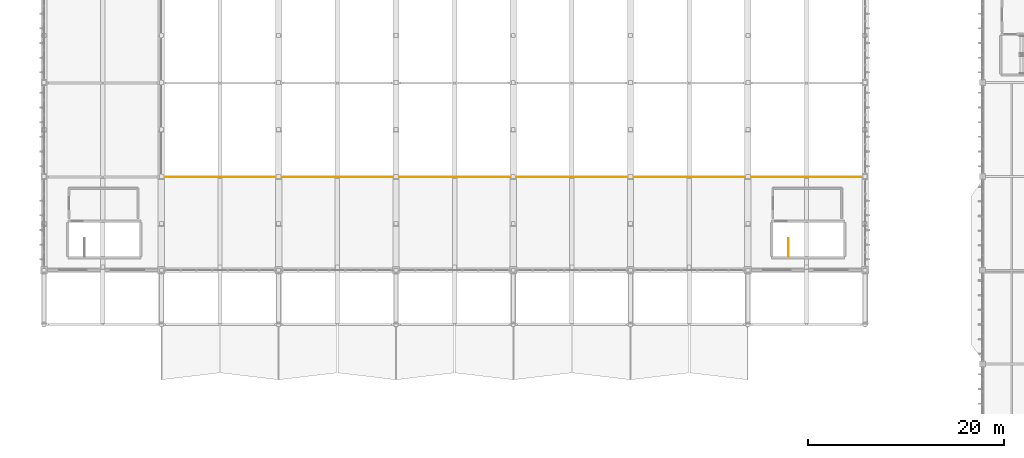
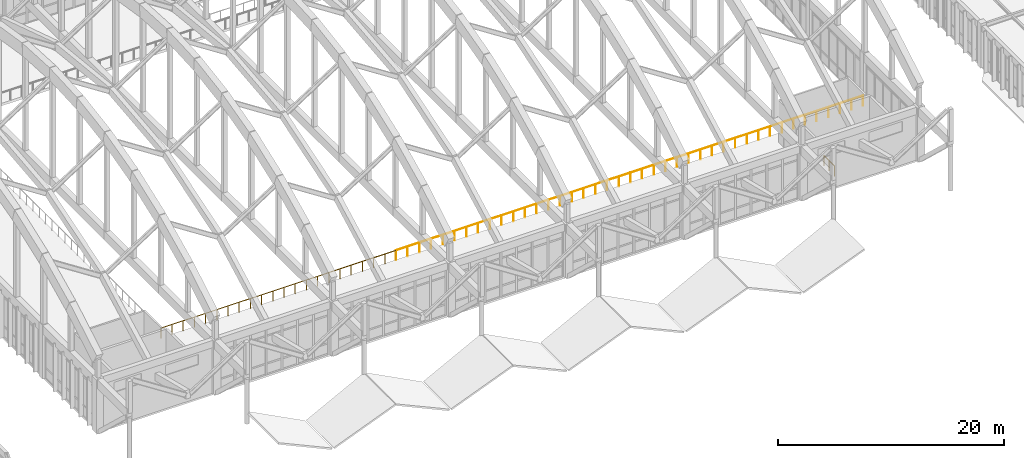
# One storey, part 227 of 236: 4 railings.
"""IFC4 building model written with IfcOpenShell, lengths in metres."""

import ifcopenshell
import ifcopenshell.guid

model = None  # the IFC model being written
_history = None  # IfcOwnerHistory: only IFC2X3 demands one
_inside = {}  # id of a spatial element -> (the spatial element, [elements in it])
_under = {}  # id of a project, library or spatial element -> (it, [spatial elements below it])
_declared = {}  # id of a project -> (the project, [libraries it declares])
_typed = {}  # id of a type object -> (the type object, [elements of that type])
_made_of = {}  # id of a material, layer set ... -> (it, [elements and type objects made of it])


def new_model(schema):
    """Start an empty IFC model of exactly this schema.

    Asked for "IFC4X3", IfcOpenShell would pick the latest addendum, in which some entities
    have other attributes; the version numbers below select the first issue.
    IFC2X3 requires an IfcOwnerHistory on every rooted entity: one is made here for all.
    """
    global model, _history
    if schema == "IFC4X3":
        model = ifcopenshell.file(schema_version=(4, 3, 0, 0))
    else:
        model = ifcopenshell.file(schema=schema)
    _inside.clear()
    _under.clear()
    _declared.clear()
    _typed.clear()
    _made_of.clear()
    _history = None
    if model.schema == "IFC2X3":
        org = make("IfcOrganization", Name="unknown")
        user = make(
            "IfcPersonAndOrganization",
            ThePerson=make("IfcPerson", FamilyName="unknown"),
            TheOrganization=org,
        )
        app = make(
            "IfcApplication",
            ApplicationDeveloper=org,
            Version="unknown",
            ApplicationFullName="unknown",
            ApplicationIdentifier="unknown",
        )
        _history = make(
            "IfcOwnerHistory",
            OwningUser=user,
            OwningApplication=app,
            ChangeAction="ADDED",
            CreationDate=0,
        )
    return model


def make(cls, **values):
    """One entity of the class cls with the attributes given. An attribute that is None is left unset."""
    return model.create_entity(
        cls, **{name: value for name, value in values.items() if value is not None}
    )


def rooted(cls, **values):
    """An entity with a GlobalId (a new one), such as an element, a storey or a relation."""
    return make(cls, GlobalId=ifcopenshell.guid.new(), OwnerHistory=_history, **values)


def si_unit(unit_type, name, prefix=None):
    """IfcSIUnit, for example si_unit("LENGTHUNIT", "METRE", prefix="MILLI")."""
    return make("IfcSIUnit", UnitType=unit_type, Prefix=prefix, Name=name)


def assignment(units):
    """IfcUnitAssignment: the units of a project."""
    return None if units is None else make("IfcUnitAssignment", Units=units)


def point(xyz):
    """IfcCartesianPoint."""
    return None if xyz is None else make("IfcCartesianPoint", Coordinates=xyz)


def direction(xyz):
    """IfcDirection."""
    return None if xyz is None else make("IfcDirection", DirectionRatios=xyz)


def frame(location, z_axis=None, x_axis=None):
    """IfcAxis2Placement3D, a coordinate frame: its origin and axes. An axis left out is left unset."""
    return make(
        "IfcAxis2Placement3D",
        Location=point(location),
        Axis=direction(z_axis),
        RefDirection=direction(x_axis),
    )


def frame_2d(location, x_axis=None):
    """IfcAxis2Placement2D, a coordinate frame in the plane: its origin and x axis."""
    return make(
        "IfcAxis2Placement2D", Location=point(location), RefDirection=direction(x_axis)
    )


def origin():
    """The frame at (0, 0, 0) with its axes left unset."""
    return frame((0.0, 0.0, 0.0))


def origin_2d():
    """The frame at (0, 0) in the plane with its x axis left unset."""
    return frame_2d((0.0, 0.0))


def place(relative_to, where):
    """IfcLocalPlacement: puts the frame where relative to a parent placement (None: the world)."""
    return make(
        "IfcLocalPlacement", PlacementRelTo=relative_to, RelativePlacement=where
    )


def context(
    kind, dimensions, precision=None, world=None, true_north=None, identifier=None
):
    """IfcGeometricRepresentationContext, for example the 3D "Model" context."""
    return make(
        "IfcGeometricRepresentationContext",
        ContextIdentifier=identifier,
        ContextType=kind,
        CoordinateSpaceDimension=dimensions,
        Precision=precision,
        WorldCoordinateSystem=world,
        TrueNorth=true_north,
    )


def subcontext(parent, identifier, kind, view, scale=None):
    """IfcGeometricRepresentationSubContext, for example "Body" below "Model"."""
    return make(
        "IfcGeometricRepresentationSubContext",
        ContextIdentifier=identifier,
        ContextType=kind,
        ParentContext=parent,
        TargetScale=scale,
        TargetView=view,
    )


def project(units=None, contexts=None):
    """IfcProject with its units and contexts."""
    return rooted(
        "IfcProject",
        Name="project",
        RepresentationContexts=contexts,
        UnitsInContext=assignment(units),
    )


def spatial(cls, under=None, at=None, **own):
    """A site, building, storey or space (cls), placed at a placement, below another one or the project."""
    s = rooted(cls, ObjectPlacement=at, **own)
    if under is not None:
        _under.setdefault(under.id(), (under, []))[1].append(s)
    return s


def profile(cls, at=None, kind="AREA", **sizes):
    """A parametric profile (cls). Its sizes go by their IFC names, for example OverallWidth=200.0."""
    return make(cls, ProfileType=kind, Position=at, **sizes)


def circle(**sizes):
    """IfcCircleProfileDef."""
    return profile("IfcCircleProfileDef", **sizes)


def extrude(swept, where, along, depth):
    """IfcExtrudedAreaSolid: the profile swept, set in the frame where, extruded along a direction by depth."""
    return make(
        "IfcExtrudedAreaSolid",
        SweptArea=swept,
        Position=where,
        ExtrudedDirection=direction(along),
        Depth=depth,
    )


def shape(context_of_items, identifier, shape_type, items):
    """IfcShapeRepresentation: the items that make up one representation, for example the "Body"."""
    return make(
        "IfcShapeRepresentation",
        ContextOfItems=context_of_items,
        RepresentationIdentifier=identifier,
        RepresentationType=shape_type,
        Items=items,
    )


def material(Name=None, Category=None):
    """IfcMaterial."""
    return make("IfcMaterial", Name=Name, Category=Category)


def made_of(thing, what):
    """Note that an element or type object is made of a material, layer set ...; save() writes the relation."""
    if what is not None:
        _made_of.setdefault(what.id(), (what, []))[1].append(thing)
    return thing


def type_object(cls, material=None, **own):
    """A type object (cls), such as IfcWallType, which elements share."""
    return made_of(rooted(cls, **own), material)


def element(
    cls,
    number,
    at=None,
    inside=None,
    cuts=None,
    type_object=None,
    material=None,
    context=None,
    identifier="Body",
    shape_type=None,
    held_by="IfcProductDefinitionShape",
    body=None,
    shapes=None,
    **own,
):
    """One element of the class cls, such as IfcWall. Its Tag is "e" and its number.

    at: its placement. inside: the storey or other place that contains it. cuts: it is an
    opening in that element (IfcRelVoidsElement). A single representation is given by context,
    identifier, shape_type and body (its items); several are given by shapes. held_by: the class
    of the entity that holds the representations. save() writes the other relations.
    """
    e = rooted(cls, Tag="e%d" % number, ObjectPlacement=at, **own)
    if body is not None:
        shapes = [shape(context, identifier, shape_type, body)]
    if shapes is not None:
        e.Representation = make(held_by, Representations=shapes)
    if inside is not None:
        _inside.setdefault(inside.id(), (inside, []))[1].append(e)
    if cuts is not None:
        rooted(
            "IfcRelVoidsElement", RelatingBuildingElement=cuts, RelatedOpeningElement=e
        )
    if type_object is not None:
        _typed.setdefault(type_object.id(), (type_object, []))[1].append(e)
    return made_of(e, material)


def aggregate(whole, parts):
    """IfcRelAggregates: a whole, such as a stair, and the parts it consists of."""
    return rooted("IfcRelAggregates", RelatingObject=whole, RelatedObjects=parts)


def save(model, path):
    """Write the relations noted so far, then the file.

    IfcRelAggregates (storeys below a building ...), IfcRelContainedInSpatialStructure (elements
    in a storey), IfcRelDefinesByType, IfcRelAssociatesMaterial and IfcRelDeclares: one each for
    every whole, place, type object, material and project.
    """
    for whole, parts in _under.values():
        aggregate(whole, parts)
    for where, things in _inside.values():
        rooted(
            "IfcRelContainedInSpatialStructure",
            RelatedElements=things,
            RelatingStructure=where,
        )
    for kind, things in _typed.values():
        rooted("IfcRelDefinesByType", RelatedObjects=things, RelatingType=kind)
    for what, things in _made_of.values():
        rooted("IfcRelAssociatesMaterial", RelatedObjects=things, RelatingMaterial=what)
    for by, libraries in _declared.values():
        rooted("IfcRelDeclares", RelatingContext=by, RelatedDefinitions=libraries)
    model.write(path)


model = new_model("IFC4")

# Units and contexts
model_context = context("Model", 3, precision=1e-05, world=origin(), true_north=direction((0.0, 1.0)))
body_context = subcontext(model_context, "Body", "Model", "MODEL_VIEW")
ifc_project = project(units=[si_unit("LENGTHUNIT", "METRE"), si_unit("AREAUNIT", "SQUARE_METRE"), si_unit("VOLUMEUNIT", "CUBIC_METRE"), si_unit("PLANEANGLEUNIT", "RADIAN"), si_unit("MASSUNIT", "GRAM", prefix="KILO")], contexts=[model_context])

# Site, building, storey
site_placement = place(None, origin())
site = spatial("IfcSite", under=ifc_project, at=site_placement, CompositionType="ELEMENT")
building_placement = place(site_placement, origin())
building = spatial("IfcBuilding", under=site, at=building_placement, Name="Pandanus Reach Market Hall", CompositionType="ELEMENT")
storey_placement = place(building_placement, frame((0.0, 0.0, 5.39990234375)))
storey = spatial("IfcBuildingStorey", under=building, at=storey_placement, Name="L01", CompositionType="ELEMENT", Elevation=5.39990234375)

# Railings
ifc_material = material(Name="Galvanised steel Grade 350 (350 MPa)", Category="steel")
railing_type = type_object("IfcRailingType", Name="GR-INT-110", PredefinedType="GUARDRAIL", material=ifc_material)
railing_1_placement = place(storey_placement, frame((124.14990234375, 30.199951171875, 0.0)))
element("IfcRailing", 1, at=railing_1_placement, inside=storey, type_object=railing_type, Name="Stair well top guard ST-08.146", PredefinedType="GUARDRAIL", context=body_context, shape_type="SweptSolid", body=[
    extrude(circle(Radius=0.02392578125, at=origin_2d()), frame((0.0, 0.0, 1.076171875), z_axis=(0.0, 1.0, 0.0), x_axis=(-1.0, 0.0, 0.0)), (0.0, 0.0, 1.0), 1.85009765625),
    extrude(circle(Radius=0.02099609375, at=origin_2d()), origin(), (0.0, 0.0, 1.0), 1.052001953125),
    extrude(circle(Radius=0.02099609375, at=origin_2d()), frame((0.0, 0.925048828125, 0.0)), (0.0, 0.0, 1.0), 1.052001953125),
    extrude(circle(Radius=0.02099609375, at=origin_2d()), frame((0.0, 1.85009765625, 0.0)), (0.0, 0.0, 1.0), 1.052001953125),
])
railing_2_placement = place(storey_placement, frame((59.93994140625, 38.340087890625, 0.0)))
element("IfcRailing", 2, at=railing_2_placement, inside=storey, type_object=railing_type, Name="Market hall mezzanine balustrade 212", PredefinedType="GUARDRAIL", context=body_context, shape_type="SweptSolid", body=[
    extrude(circle(Radius=0.02392578125, at=origin_2d()), frame((0.0, 0.0, 1.076171875), z_axis=(1.0, 0.0, 0.0), x_axis=(0.0, 1.0, 0.0)), (0.0, 0.0, 1.0), 24.06005859375),
    extrude(circle(Radius=0.02099609375, at=origin_2d()), origin(), (0.0, 0.0, 1.0), 1.052001953125),
    extrude(circle(Radius=0.02099609375, at=origin_2d()), frame((1.145751953125, 0.0, 0.0)), (0.0, 0.0, 1.0), 1.052001953125),
    extrude(circle(Radius=0.02099609375, at=origin_2d()), frame((2.29150390625, 0.0, 0.0)), (0.0, 0.0, 1.0), 1.052001953125),
    extrude(circle(Radius=0.02099609375, at=origin_2d()), frame((3.437255859375, 0.0, 0.0)), (0.0, 0.0, 1.0), 1.052001953125),
    extrude(circle(Radius=0.02099609375, at=origin_2d()), frame((4.582763671875, 0.0, 0.0)), (0.0, 0.0, 1.0), 1.052001953125),
    extrude(circle(Radius=0.02099609375, at=origin_2d()), frame((5.728515625, 0.0, 0.0)), (0.0, 0.0, 1.0), 1.052001953125),
    extrude(circle(Radius=0.02099609375, at=origin_2d()), frame((6.874267578125, 0.0, 0.0)), (0.0, 0.0, 1.0), 1.052001953125),
    extrude(circle(Radius=0.02099609375, at=origin_2d()), frame((8.02001953125, 0.0, 0.0)), (0.0, 0.0, 1.0), 1.052001953125),
    extrude(circle(Radius=0.02099609375, at=origin_2d()), frame((9.165771484375, 0.0, 0.0)), (0.0, 0.0, 1.0), 1.052001953125),
    extrude(circle(Radius=0.02099609375, at=origin_2d()), frame((10.3115234375, 0.0, 0.0)), (0.0, 0.0, 1.0), 1.052001953125),
    extrude(circle(Radius=0.02099609375, at=origin_2d()), frame((11.457275390625, 0.0, 0.0)), (0.0, 0.0, 1.0), 1.052001953125),
    extrude(circle(Radius=0.02099609375, at=origin_2d()), frame((12.602783203125, 0.0, 0.0)), (0.0, 0.0, 1.0), 1.052001953125),
    extrude(circle(Radius=0.02099609375, at=origin_2d()), frame((13.74853515625, 0.0, 0.0)), (0.0, 0.0, 1.0), 1.052001953125),
    extrude(circle(Radius=0.02099609375, at=origin_2d()), frame((14.894287109375, 0.0, 0.0)), (0.0, 0.0, 1.0), 1.052001953125),
    extrude(circle(Radius=0.02099609375, at=origin_2d()), frame((16.0400390625, 0.0, 0.0)), (0.0, 0.0, 1.0), 1.052001953125),
    extrude(circle(Radius=0.02099609375, at=origin_2d()), frame((17.185791015625, 0.0, 0.0)), (0.0, 0.0, 1.0), 1.052001953125),
    extrude(circle(Radius=0.02099609375, at=origin_2d()), frame((18.33154296875, 0.0, 0.0)), (0.0, 0.0, 1.0), 1.052001953125),
    extrude(circle(Radius=0.02099609375, at=origin_2d()), frame((19.477294921875, 0.0, 0.0)), (0.0, 0.0, 1.0), 1.052001953125),
    extrude(circle(Radius=0.02099609375, at=origin_2d()), frame((20.622802734375, 0.0, 0.0)), (0.0, 0.0, 1.0), 1.052001953125),
    extrude(circle(Radius=0.02099609375, at=origin_2d()), frame((21.7685546875, 0.0, 0.0)), (0.0, 0.0, 1.0), 1.052001953125),
    extrude(circle(Radius=0.02099609375, at=origin_2d()), frame((22.914306640625, 0.0, 0.0)), (0.0, 0.0, 1.0), 1.052001953125),
    extrude(circle(Radius=0.02099609375, at=origin_2d()), frame((24.06005859375, 0.0, 0.0)), (0.0, 0.0, 1.0), 1.052001953125),
])
railing_3_placement = place(storey_placement, frame((84.0, 38.340087890625, 0.0)))
element("IfcRailing", 3, at=railing_3_placement, inside=storey, type_object=railing_type, Name="Market hall mezzanine balustrade 213", PredefinedType="GUARDRAIL", context=body_context, shape_type="SweptSolid", body=[
    extrude(circle(Radius=0.02392578125, at=origin_2d()), frame((0.0, 0.0, 1.076171875), z_axis=(1.0, 0.0, 0.0), x_axis=(0.0, 1.0, 0.0)), (0.0, 0.0, 1.0), 24.0),
    extrude(circle(Radius=0.02099609375, at=origin_2d()), origin(), (0.0, 0.0, 1.0), 1.052001953125),
    extrude(circle(Radius=0.02099609375, at=origin_2d()), frame((1.199951171875, 0.0, 0.0)), (0.0, 0.0, 1.0), 1.052001953125),
    extrude(circle(Radius=0.02099609375, at=origin_2d()), frame((2.39990234375, 0.0, 0.0)), (0.0, 0.0, 1.0), 1.052001953125),
    extrude(circle(Radius=0.02099609375, at=origin_2d()), frame((3.60009765625, 0.0, 0.0)), (0.0, 0.0, 1.0), 1.052001953125),
    extrude(circle(Radius=0.02099609375, at=origin_2d()), frame((4.800048828125, 0.0, 0.0)), (0.0, 0.0, 1.0), 1.052001953125),
    extrude(circle(Radius=0.02099609375, at=origin_2d()), frame((6.0, 0.0, 0.0)), (0.0, 0.0, 1.0), 1.052001953125),
    extrude(circle(Radius=0.02099609375, at=origin_2d()), frame((7.199951171875, 0.0, 0.0)), (0.0, 0.0, 1.0), 1.052001953125),
    extrude(circle(Radius=0.02099609375, at=origin_2d()), frame((8.39990234375, 0.0, 0.0)), (0.0, 0.0, 1.0), 1.052001953125),
    extrude(circle(Radius=0.02099609375, at=origin_2d()), frame((9.60009765625, 0.0, 0.0)), (0.0, 0.0, 1.0), 1.052001953125),
    extrude(circle(Radius=0.02099609375, at=origin_2d()), frame((10.800048828125, 0.0, 0.0)), (0.0, 0.0, 1.0), 1.052001953125),
    extrude(circle(Radius=0.02099609375, at=origin_2d()), frame((12.0, 0.0, 0.0)), (0.0, 0.0, 1.0), 1.052001953125),
    extrude(circle(Radius=0.02099609375, at=origin_2d()), frame((13.199951171875, 0.0, 0.0)), (0.0, 0.0, 1.0), 1.052001953125),
    extrude(circle(Radius=0.02099609375, at=origin_2d()), frame((14.39990234375, 0.0, 0.0)), (0.0, 0.0, 1.0), 1.052001953125),
    extrude(circle(Radius=0.02099609375, at=origin_2d()), frame((15.60009765625, 0.0, 0.0)), (0.0, 0.0, 1.0), 1.052001953125),
    extrude(circle(Radius=0.02099609375, at=origin_2d()), frame((16.800048828125, 0.0, 0.0)), (0.0, 0.0, 1.0), 1.052001953125),
    extrude(circle(Radius=0.02099609375, at=origin_2d()), frame((18.0, 0.0, 0.0)), (0.0, 0.0, 1.0), 1.052001953125),
    extrude(circle(Radius=0.02099609375, at=origin_2d()), frame((19.199951171875, 0.0, 0.0)), (0.0, 0.0, 1.0), 1.052001953125),
    extrude(circle(Radius=0.02099609375, at=origin_2d()), frame((20.39990234375, 0.0, 0.0)), (0.0, 0.0, 1.0), 1.052001953125),
    extrude(circle(Radius=0.02099609375, at=origin_2d()), frame((21.60009765625, 0.0, 0.0)), (0.0, 0.0, 1.0), 1.052001953125),
    extrude(circle(Radius=0.02099609375, at=origin_2d()), frame((22.800048828125, 0.0, 0.0)), (0.0, 0.0, 1.0), 1.052001953125),
    extrude(circle(Radius=0.02099609375, at=origin_2d()), frame((24.0, 0.0, 0.0)), (0.0, 0.0, 1.0), 1.052001953125),
])
railing_4_placement = place(storey_placement, frame((108.0, 38.340087890625, 0.0)))
element("IfcRailing", 4, at=railing_4_placement, inside=storey, type_object=railing_type, Name="Market hall mezzanine balustrade 214", PredefinedType="GUARDRAIL", context=body_context, shape_type="SweptSolid", body=[
    extrude(circle(Radius=0.02392578125, at=origin_2d()), frame((0.0, 0.0, 1.076171875), z_axis=(1.0, 0.0, 0.0), x_axis=(0.0, 1.0, 0.0)), (0.0, 0.0, 1.0), 23.800048828125),
    extrude(circle(Radius=0.02099609375, at=origin_2d()), origin(), (0.0, 0.0, 1.0), 1.052001953125),
    extrude(circle(Radius=0.02099609375, at=origin_2d()), frame((1.18994140625, 0.0, 0.0)), (0.0, 0.0, 1.0), 1.052001953125),
    extrude(circle(Radius=0.02099609375, at=origin_2d()), frame((2.3798828125, 0.0, 0.0)), (0.0, 0.0, 1.0), 1.052001953125),
    extrude(circle(Radius=0.02099609375, at=origin_2d()), frame((3.570068359375, 0.0, 0.0)), (0.0, 0.0, 1.0), 1.052001953125),
    extrude(circle(Radius=0.02099609375, at=origin_2d()), frame((4.760009765625, 0.0, 0.0)), (0.0, 0.0, 1.0), 1.052001953125),
    extrude(circle(Radius=0.02099609375, at=origin_2d()), frame((5.949951171875, 0.0, 0.0)), (0.0, 0.0, 1.0), 1.052001953125),
    extrude(circle(Radius=0.02099609375, at=origin_2d()), frame((7.14013671875, 0.0, 0.0)), (0.0, 0.0, 1.0), 1.052001953125),
    extrude(circle(Radius=0.02099609375, at=origin_2d()), frame((8.330078125, 0.0, 0.0)), (0.0, 0.0, 1.0), 1.052001953125),
    extrude(circle(Radius=0.02099609375, at=origin_2d()), frame((9.52001953125, 0.0, 0.0)), (0.0, 0.0, 1.0), 1.052001953125),
    extrude(circle(Radius=0.02099609375, at=origin_2d()), frame((10.7099609375, 0.0, 0.0)), (0.0, 0.0, 1.0), 1.052001953125),
    extrude(circle(Radius=0.02099609375, at=origin_2d()), frame((11.89990234375, 0.0, 0.0)), (0.0, 0.0, 1.0), 1.052001953125),
    extrude(circle(Radius=0.02099609375, at=origin_2d()), frame((13.090087890625, 0.0, 0.0)), (0.0, 0.0, 1.0), 1.052001953125),
    extrude(circle(Radius=0.02099609375, at=origin_2d()), frame((14.280029296875, 0.0, 0.0)), (0.0, 0.0, 1.0), 1.052001953125),
    extrude(circle(Radius=0.02099609375, at=origin_2d()), frame((15.469970703125, 0.0, 0.0)), (0.0, 0.0, 1.0), 1.052001953125),
    extrude(circle(Radius=0.02099609375, at=origin_2d()), frame((16.66015625, 0.0, 0.0)), (0.0, 0.0, 1.0), 1.052001953125),
    extrude(circle(Radius=0.02099609375, at=origin_2d()), frame((17.85009765625, 0.0, 0.0)), (0.0, 0.0, 1.0), 1.052001953125),
    extrude(circle(Radius=0.02099609375, at=origin_2d()), frame((19.0400390625, 0.0, 0.0)), (0.0, 0.0, 1.0), 1.052001953125),
    extrude(circle(Radius=0.02099609375, at=origin_2d()), frame((20.22998046875, 0.0, 0.0)), (0.0, 0.0, 1.0), 1.052001953125),
    extrude(circle(Radius=0.02099609375, at=origin_2d()), frame((21.419921875, 0.0, 0.0)), (0.0, 0.0, 1.0), 1.052001953125),
    extrude(circle(Radius=0.02099609375, at=origin_2d()), frame((22.610107421875, 0.0, 0.0)), (0.0, 0.0, 1.0), 1.052001953125),
    extrude(circle(Radius=0.02099609375, at=origin_2d()), frame((23.800048828125, 0.0, 0.0)), (0.0, 0.0, 1.0), 1.052001953125),
])

save(model, "model.ifc")
